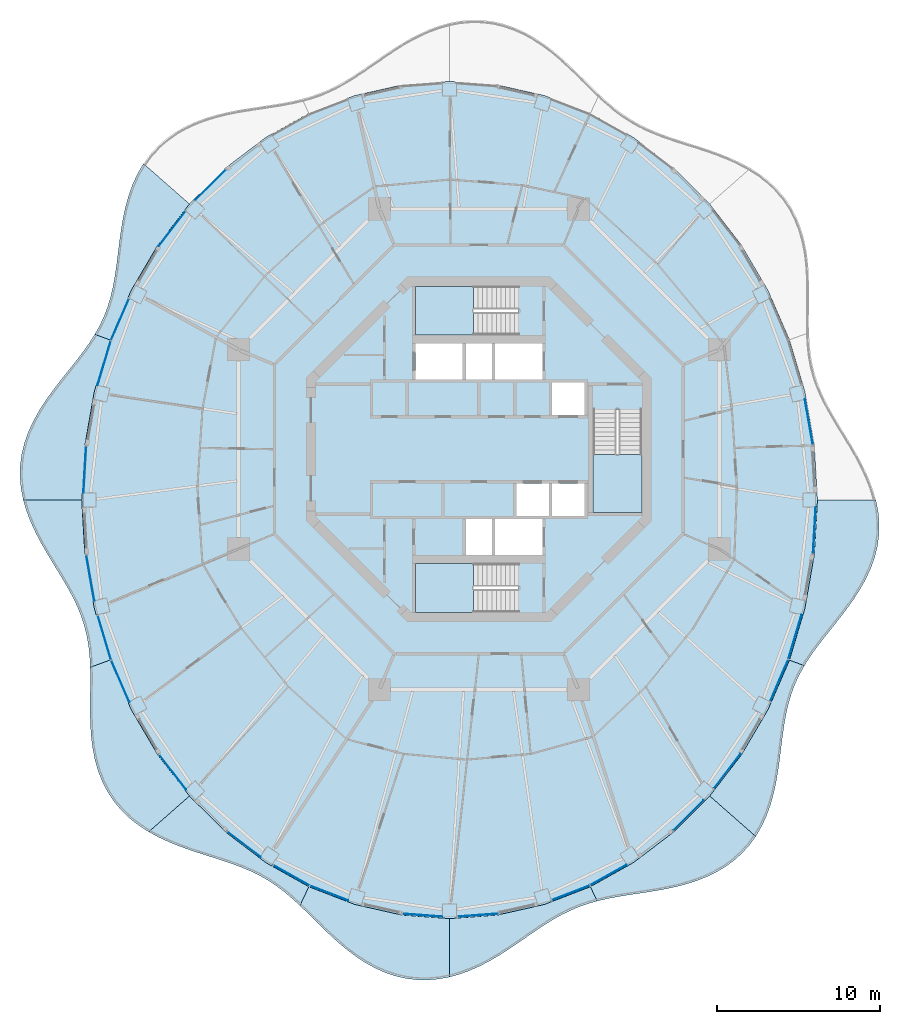
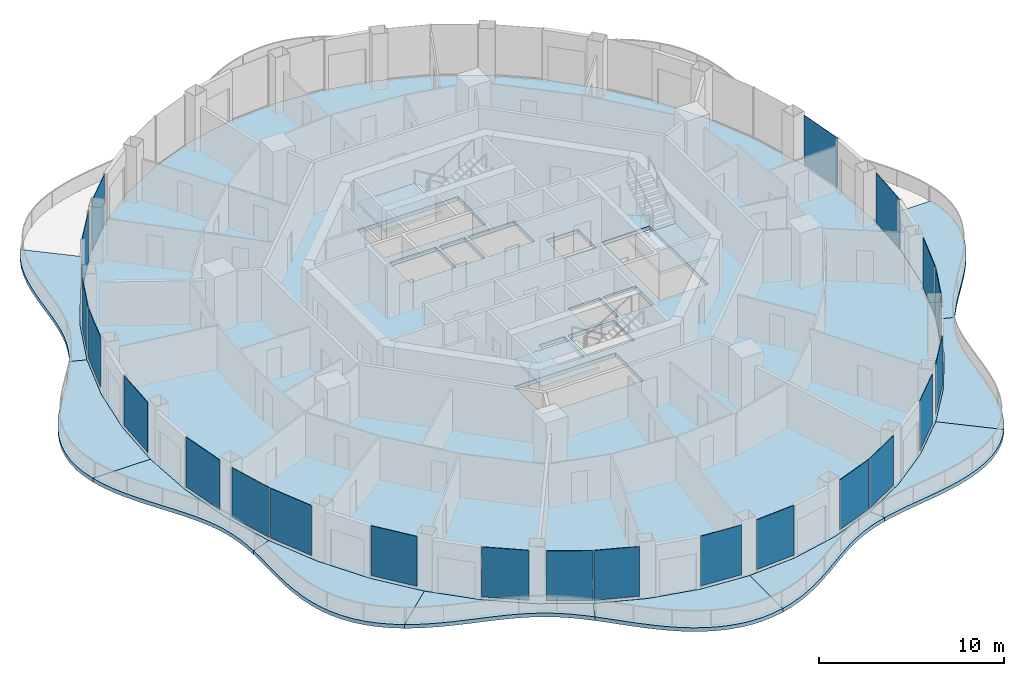
# One storey, part 8 of 17: 22 plates, 14 slabs, 25 elements without a shape of their own.
"""IFC4 building model written with IfcOpenShell, lengths in metres."""

from ifc_helpers import new_model, si_unit, direction, frame, origin, origin_2d, place, context, subcontext, project, spatial, polyline, rectangle, outline, extrude, material, layer, layer_set, type_object, element, aggregate, save


model = new_model("IFC4")

# Units and contexts
model_context = context("Model", 3, precision=1e-05, world=origin(), true_north=direction((0.0, 1.0)))
body_context = subcontext(model_context, "Body", "Model", "MODEL_VIEW")
ifc_project = project(units=[si_unit("LENGTHUNIT", "METRE"), si_unit("AREAUNIT", "SQUARE_METRE"), si_unit("VOLUMEUNIT", "CUBIC_METRE"), si_unit("PLANEANGLEUNIT", "RADIAN"), si_unit("MASSUNIT", "GRAM", prefix="KILO")], contexts=[model_context])

# Site, building, storey
site_placement = place(None, origin())
site = spatial("IfcSite", under=ifc_project, at=site_placement, CompositionType="ELEMENT")
building_placement = place(site_placement, origin())
building = spatial("IfcBuilding", under=site, at=building_placement, Name="Nagisa Residences", CompositionType="ELEMENT")
storey_placement = place(building_placement, frame((0.0, 0.0, 273.300048828125)))
storey = spatial("IfcBuildingStorey", under=building, at=storey_placement, Name="L69", CompositionType="ELEMENT", Elevation=273.300048828125)

# Slabs
ifc_material_1 = material(Name="Concrete C40/50", Category="concrete")
ifc_layer_1 = layer(ifc_material_1, 0.25)
ifc_layer_set_1 = layer_set([ifc_layer_1], Name="BALCONY SLAB 250")
slab_type_1 = type_object("IfcSlabType", Name="BALCONY SLAB 250", PredefinedType="FLOOR", material=ifc_layer_set_1)
slab_1_placement = place(storey_placement, frame((0.0, 0.0, -0.25)))
element("IfcSlab", 1, at=slab_1_placement, inside=storey, type_object=slab_type_1, Name="slab:L69:bal06", PredefinedType="FLOOR", context=body_context, shape_type="SweptSolid", body=[
    extrude(outline(polyline([(-20.623779296875, 17.5693359375), (-20.98291015625, 16.95458984375), (-21.28369140625, 16.302001953125), (-21.529296875, 15.619140625), (-21.725830078125, 14.914794921875), (-21.880615234375, 14.197265625), (-22.002685546875, 13.474853515625), (-22.10205078125, 12.75537109375), (-22.18994140625, 12.04541015625), (-22.27734375, 11.350341796875), (-22.374755859375, 10.674560546875), (-22.4921875, 10.0205078125), (-22.63818359375, 9.389404296875), (-22.81982421875, 8.78076171875), (-23.0419921875, 8.192626953125), (-23.30712890625, 7.62255859375), (-23.615478515625, 7.06640625), (-22.6982421875, 6.732666015625), (-21.389404296875, 9.752197265625), (-19.74560546875, 12.5517578125), (-17.794677734375, 15.083251953125), (-20.623779296875, 17.5693359375)])), origin(), (0.0, 0.0, 1.0), 0.25),
])
slab_2_placement = place(storey_placement, frame((0.0, 0.0, -0.25)))
element("IfcSlab", 2, at=slab_2_placement, inside=storey, type_object=slab_type_1, Name="slab:L69:bal07", PredefinedType="FLOOR", context=body_context, shape_type="SweptSolid", body=[
    extrude(outline(polyline([(-23.615478515625, 7.06640625), (-23.9765625, 6.50244140625), (-24.375732421875, 5.943115234375), (-24.8056640625, 5.382568359375), (-25.256103515625, 4.816162109375), (-25.715576171875, 4.239013671875), (-26.171142578125, 3.647216796875), (-26.609375, 3.037841796875), (-27.01708984375, 2.40966796875), (-27.381103515625, 1.76220703125), (-27.690185546875, 1.096435546875), (-27.934326171875, 0.4140625), (-28.106201171875, -0.281494140625), (-28.20068359375, -0.98681640625), (-28.2158203125, -1.69775390625), (-28.152099609375, -2.409423828125), (-28.013671875, -3.11767578125), (-24.419921875, -3.11767578125), (-24.2265625, 0.241943359375), (-23.649169921875, 3.544189453125), (-22.6982421875, 6.732666015625), (-23.615478515625, 7.06640625)])), origin(), (0.0, 0.0, 1.0), 0.25),
])
slab_3_placement = place(storey_placement, frame((0.0, 0.0, -0.25)))
element("IfcSlab", 3, at=slab_3_placement, inside=storey, type_object=slab_type_1, Name="slab:L69:bal08", PredefinedType="FLOOR", context=body_context, shape_type="SweptSolid", body=[
    extrude(outline(polyline([(-28.013671875, -3.11767578125), (-27.806396484375, -3.818603515625), (-27.539794921875, -4.5087890625), (-27.22412109375, -5.185546875), (-26.872314453125, -5.84765625), (-26.49755859375, -6.49462890625), (-26.11376953125, -7.127197265625), (-25.734130859375, -7.747802734375), (-25.37109375, -8.358642578125), (-25.035888671875, -8.964111328125), (-24.7373046875, -9.568115234375), (-24.482177734375, -10.17529296875), (-24.274658203125, -10.79052734375), (-24.115478515625, -11.418212890625), (-24.003173828125, -12.061279296875), (-23.932861328125, -12.72314453125), (-23.89794921875, -13.40478515625), (-22.6982421875, -12.968017578125), (-23.649169921875, -9.77978515625), (-24.2265625, -6.4775390625), (-24.419921875, -3.11767578125), (-28.013671875, -3.11767578125)])), origin(), (0.0, 0.0, 1.0), 0.25),
])
slab_4_placement = place(storey_placement, frame((0.0, 0.0, -0.25)))
element("IfcSlab", 4, at=slab_4_placement, inside=storey, type_object=slab_type_1, Name="slab:L69:bal09", PredefinedType="FLOOR", context=body_context, shape_type="SweptSolid", body=[
    extrude(outline(polyline([(-23.89794921875, -13.40478515625), (-23.888916015625, -14.08447265625), (-23.89453125, -14.78173828125), (-23.9033203125, -15.493896484375), (-23.904296875, -16.21728515625), (-23.88525390625, -16.946533203125), (-23.83544921875, -17.676025390625), (-23.74462890625, -18.3984375), (-23.603759765625, -19.107177734375), (-23.40625, -19.794189453125), (-23.14697265625, -20.452880859375), (-22.8232421875, -21.076416015625), (-22.4345703125, -21.659423828125), (-21.983154296875, -22.197509765625), (-21.47314453125, -22.68798828125), (-20.910400390625, -23.12939453125), (-20.302734375, -23.522705078125), (-17.794677734375, -21.318603515625), (-19.74560546875, -18.787109375), (-21.389404296875, -15.98779296875), (-22.6982421875, -12.968017578125), (-23.89794921875, -13.40478515625)])), origin(), (0.0, 0.0, 1.0), 0.25),
])
slab_5_placement = place(storey_placement, frame((0.0, 0.0, -0.25)))
element("IfcSlab", 5, at=slab_5_placement, inside=storey, type_object=slab_type_1, Name="slab:L69:bal10", PredefinedType="FLOOR", context=body_context, shape_type="SweptSolid", body=[
    extrude(outline(polyline([(-20.302734375, -23.522705078125), (-19.68994140625, -23.85498046875), (-19.052734375, -24.14990234375), (-18.39990234375, -24.412353515625), (-17.739990234375, -24.6484375), (-17.080810546875, -24.865966796875), (-16.429931640625, -25.072509765625), (-15.79345703125, -25.276611328125), (-15.176025390625, -25.486083984375), (-14.581298828125, -25.708984375), (-14.0107421875, -25.952392578125), (-13.46435546875, -26.22216796875), (-12.941162109375, -26.5224609375), (-12.437744140625, -26.8564453125), (-11.9501953125, -27.224609375), (-11.473876953125, -27.6259765625), (-11.00244140625, -28.057373046875), (-10.456298828125, -26.8984375), (-13.110107421875, -25.4091796875), (-15.570068359375, -23.53857421875), (-17.794677734375, -21.318603515625), (-20.302734375, -23.522705078125)])), origin(), (0.0, 0.0, 1.0), 0.25),
])
slab_6_placement = place(storey_placement, frame((0.0, 0.0, -0.25)))
element("IfcSlab", 6, at=slab_6_placement, inside=storey, type_object=slab_type_1, Name="slab:L69:bal11", PredefinedType="FLOOR", context=body_context, shape_type="SweptSolid", body=[
    extrude(outline(polyline([(-11.00244140625, -28.057373046875), (-10.5478515625, -28.496826171875), (-10.087158203125, -28.953369140625), (-9.615478515625, -29.419677734375), (-9.128662109375, -29.886962890625), (-8.62255859375, -30.345947265625), (-8.0947265625, -30.786865234375), (-7.543701171875, -31.19970703125), (-6.96875, -31.5751953125), (-6.370849609375, -31.904296875), (-5.751708984375, -32.178955078125), (-5.1142578125, -32.393310546875), (-4.462158203125, -32.5419921875), (-3.7998046875, -32.6220703125), (-3.13232421875, -32.6328125), (-2.4638671875, -32.574951171875), (-1.800048828125, -32.451171875), (-1.800048828125, -28.857666015625), (-4.75244140625, -28.637451171875), (-7.654541015625, -27.980712890625), (-10.456298828125, -26.8984375), (-11.00244140625, -28.057373046875)])), origin(), (0.0, 0.0, 1.0), 0.25),
])
slab_7_placement = place(storey_placement, frame((0.0, 0.0, -0.25)))
element("IfcSlab", 7, at=slab_7_placement, inside=storey, type_object=slab_type_1, Name="slab:L69:bal12", PredefinedType="FLOOR", context=body_context, shape_type="SweptSolid", body=[
    extrude(outline(polyline([(-1.800048828125, -32.451171875), (-1.144775390625, -32.2666015625), (-0.501953125, -32.027587890625), (0.12548828125, -31.741943359375), (0.7353515625, -31.418701171875), (1.326904296875, -31.0673828125), (1.900146484375, -30.698486328125), (2.456298828125, -30.321533203125), (2.998046875, -29.9462890625), (3.528076171875, -29.581787109375), (4.050537109375, -29.23583984375), (4.570068359375, -28.914306640625), (5.090576171875, -28.622314453125), (5.6171875, -28.362548828125), (6.15380859375, -28.13623046875), (6.704345703125, -27.942626953125), (7.271484375, -27.779296875), (6.856201171875, -26.8984375), (4.054443359375, -27.980712890625), (1.152587890625, -28.637451171875), (-1.800048828125, -28.857666015625), (-1.800048828125, -32.451171875)])), origin(), (0.0, 0.0, 1.0), 0.25),
])
slab_8_placement = place(storey_placement, frame((0.0, 0.0, -0.25)))
element("IfcSlab", 8, at=slab_8_placement, inside=storey, type_object=slab_type_1, Name="slab:L69:bal13", PredefinedType="FLOOR", context=body_context, shape_type="SweptSolid", body=[
    extrude(outline(polyline([(7.271484375, -27.779296875), (7.87939453125, -27.636962890625), (8.5078125, -27.5166015625), (9.15625, -27.41064453125), (9.822265625, -27.310302734375), (10.502197265625, -27.206787109375), (11.191162109375, -27.0908203125), (11.8828125, -26.95361328125), (12.570068359375, -26.78662109375), (13.245361328125, -26.58251953125), (13.900634765625, -26.335205078125), (14.528076171875, -26.040283203125), (15.120361328125, -25.694580078125), (15.670654296875, -25.296875), (16.173828125, -24.84765625), (16.625732421875, -24.34912109375), (17.02392578125, -23.8046875), (14.19482421875, -21.318603515625), (11.97021484375, -23.53857421875), (9.510009765625, -25.4091796875), (6.856201171875, -26.8984375), (7.271484375, -27.779296875)])), origin(), (0.0, 0.0, 1.0), 0.25),
])
slab_9_placement = place(storey_placement, frame((0.0, 0.0, -0.25)))
element("IfcSlab", 9, at=slab_9_placement, inside=storey, type_object=slab_type_1, Name="slab:L69:bal14", PredefinedType="FLOOR", context=body_context, shape_type="SweptSolid", body=[
    extrude(outline(polyline([(17.02392578125, -23.8046875), (17.383056640625, -23.18994140625), (17.68359375, -22.537353515625), (17.929443359375, -21.8544921875), (18.1259765625, -21.150146484375), (18.280517578125, -20.4326171875), (18.402587890625, -19.71044921875), (18.502197265625, -18.99072265625), (18.590087890625, -18.28076171875), (18.67724609375, -17.5859375), (18.774658203125, -16.909912109375), (18.89208984375, -16.255859375), (19.0380859375, -15.624755859375), (19.219970703125, -15.01611328125), (19.44189453125, -14.42822265625), (19.707275390625, -13.85791015625), (20.015625, -13.302001953125), (19.09814453125, -12.968017578125), (17.78955078125, -15.98779296875), (16.145751953125, -18.787109375), (14.19482421875, -21.318603515625), (17.02392578125, -23.8046875)])), origin(), (0.0, 0.0, 1.0), 0.25),
])
slab_10_placement = place(storey_placement, frame((0.0, 0.0, -0.25)))
element("IfcSlab", 10, at=slab_10_placement, inside=storey, type_object=slab_type_1, Name="slab:L69:bal15", PredefinedType="FLOOR", context=body_context, shape_type="SweptSolid", body=[
    extrude(outline(polyline([(20.015625, -13.302001953125), (20.37646484375, -12.73779296875), (20.77587890625, -12.178466796875), (21.20556640625, -11.6181640625), (21.656005859375, -11.051513671875), (22.115478515625, -10.474365234375), (22.571044921875, -9.882568359375), (23.009521484375, -9.273193359375), (23.4169921875, -8.64501953125), (23.78125, -7.99755859375), (24.09033203125, -7.331787109375), (24.33447265625, -6.6494140625), (24.50634765625, -5.953857421875), (24.600830078125, -5.24853515625), (24.61572265625, -4.53759765625), (24.55224609375, -3.825927734375), (24.41357421875, -3.11767578125), (20.820068359375, -3.11767578125), (20.62646484375, -6.4775390625), (20.04931640625, -9.77978515625), (19.09814453125, -12.968017578125), (20.015625, -13.302001953125)])), origin(), (0.0, 0.0, 1.0), 0.25),
])

# Curtain wall, plate
ifc_material_2 = material(Name="Concrete-coloured aluminium curtain wall system", Category="concrete")
ifc_layer_2 = layer(ifc_material_2, 0.159912109375)
ifc_layer_set_2 = layer_set([ifc_layer_2], Name="CW1 CURTAIN WALL")
curtain_wall_type = type_object("IfcCurtainWallType", Name="CW1 CURTAIN WALL", PredefinedType="NOTDEFINED", material=ifc_layer_set_2)
curtain_wall_1_placement = place(storey_placement, origin())
curtain_wall_1 = element("IfcCurtainWall", 11, at=curtain_wall_1_placement, inside=storey, type_object=curtain_wall_type, Name="cw:CW1:L69:01", PredefinedType="NOTDEFINED")
ifc_material_3 = material(Name="Clear laminated glass", Category="glass")
ifc_layer_3 = layer(ifc_material_3, 0.028076171875)
ifc_layer_set_3 = layer_set([ifc_layer_3], Name="CW1 GLASS PANEL")
plate_type = type_object("IfcPlateType", Name="CW1 GLASS PANEL", PredefinedType="CURTAIN_PANEL", material=ifc_layer_set_3)
plate_1_placement = place(storey_placement, frame((20.292724609375, 1.687255859375, 0.14990234375), z_axis=(0.0, 0.0, 1.0), x_axis=(-0.172190868898, 0.985063604377, 0.0)))
plate_1 = element("IfcPlate", 12, at=plate_1_placement, type_object=plate_type, Name="CW1 panel", PredefinedType="CURTAIN_PANEL", context=body_context, shape_type="SweptSolid", body=[
    extrude(rectangle(XDim=2.84228515625, YDim=0.028076171875, at=origin_2d()), origin(), (0.0, 0.0, 1.0), 3.2900390625),
])
aggregate(curtain_wall_1, [plate_1])

curtain_wall_2_placement = place(storey_placement, origin())
curtain_wall_2 = element("IfcCurtainWall", 13, at=curtain_wall_2_placement, inside=storey, type_object=curtain_wall_type, Name="cw:CW1:L69:17", PredefinedType="NOTDEFINED")
plate_2_placement = place(storey_placement, frame((-16.488037109375, 16.2744140625, 0.14990234375), z_axis=(0.0, 0.0, 1.0), x_axis=(-0.707835924016, -0.706376885714, 0.0)))
plate_2 = element("IfcPlate", 14, at=plate_2_placement, type_object=plate_type, Name="CW1 panel", PredefinedType="CURTAIN_PANEL", context=body_context, shape_type="SweptSolid", body=[
    extrude(rectangle(XDim=2.6328125, YDim=0.028076171875, at=origin_2d()), origin(), (0.0, 0.0, 1.0), 3.2900390625),
])
aggregate(curtain_wall_2, [plate_2])

curtain_wall_3_placement = place(storey_placement, origin())
curtain_wall_3 = element("IfcCurtainWall", 15, at=curtain_wall_3_placement, inside=storey, type_object=curtain_wall_type, Name="cw:CW1:L69:18", PredefinedType="NOTDEFINED")
plate_3_placement = place(storey_placement, frame((-18.862548828125, 13.566650390625, 0.14990234375), z_axis=(0.0, 0.0, 1.0), x_axis=(-0.610429828235, -0.792070340816, 0.0)))
plate_3 = element("IfcPlate", 16, at=plate_3_placement, type_object=plate_type, Name="CW1 panel", PredefinedType="CURTAIN_PANEL", context=body_context, shape_type="SweptSolid", body=[
    extrude(rectangle(XDim=2.68603515625, YDim=0.028076171875, at=origin_2d()), origin(), (0.0, 0.0, 1.0), 3.2900390625),
])
aggregate(curtain_wall_3, [plate_3])

curtain_wall_4_placement = place(storey_placement, origin())
curtain_wall_4 = element("IfcCurtainWall", 17, at=curtain_wall_4_placement, inside=storey, type_object=curtain_wall_type, Name="cw:CW1:L69:20", PredefinedType="NOTDEFINED")
plate_4_placement = place(storey_placement, frame((-22.07177734375, 7.9765625, 0.14990234375), z_axis=(0.0, 0.0, 1.0), x_axis=(-0.397635934147, -0.917543276295, 0.0)))
plate_4 = element("IfcPlate", 18, at=plate_4_placement, type_object=plate_type, Name="CW1 panel", PredefinedType="CURTAIN_PANEL", context=body_context, shape_type="SweptSolid", body=[
    extrude(rectangle(XDim=2.781005859375, YDim=0.028076171875, at=origin_2d()), origin(), (0.0, 0.0, 1.0), 3.2900390625),
])
aggregate(curtain_wall_4, [plate_4])

curtain_wall_5_placement = place(storey_placement, origin())
curtain_wall_5 = element("IfcCurtainWall", 19, at=curtain_wall_5_placement, inside=storey, type_object=curtain_wall_type, Name="cw:CW1:L69:21", PredefinedType="NOTDEFINED")
plate_5_placement = place(storey_placement, frame((-23.041259765625, 5.302490234375, 0.14990234375), z_axis=(0.0, 0.0, 1.0), x_axis=(-0.285860274038, -0.958271310082, 0.0)))
plate_5 = element("IfcPlate", 20, at=plate_5_placement, type_object=plate_type, Name="CW1 panel", PredefinedType="CURTAIN_PANEL", context=body_context, shape_type="SweptSolid", body=[
    extrude(rectangle(XDim=2.817138671875, YDim=0.028076171875, at=origin_2d()), origin(), (0.0, 0.0, 1.0), 3.2900390625),
])
aggregate(curtain_wall_5, [plate_5])

curtain_wall_6_placement = place(storey_placement, origin())
curtain_wall_6 = element("IfcCurtainWall", 21, at=curtain_wall_6_placement, inside=storey, type_object=curtain_wall_type, Name="cw:CW1:L69:23", PredefinedType="NOTDEFINED")
plate_6_placement = place(storey_placement, frame((-24.232177734375, -1.247802734375, 0.14990234375), z_axis=(0.0, 0.0, 1.0), x_axis=(-0.057503492216, -0.998345305184, 0.0)))
plate_6 = element("IfcPlate", 22, at=plate_6_placement, type_object=plate_type, Name="CW1 panel", PredefinedType="CURTAIN_PANEL", context=body_context, shape_type="SweptSolid", body=[
    extrude(rectangle(XDim=2.855224609375, YDim=0.028076171875, at=origin_2d()), origin(), (0.0, 0.0, 1.0), 3.2900390625),
])
aggregate(curtain_wall_6, [plate_6])

curtain_wall_7_placement = place(storey_placement, origin())
curtain_wall_7 = element("IfcCurtainWall", 23, at=curtain_wall_7_placement, inside=storey, type_object=curtain_wall_type, Name="cw:CW1:L69:25", PredefinedType="NOTDEFINED")
plate_7_placement = place(storey_placement, frame((-23.892578125, -7.922607421875, 0.14990234375), z_axis=(0.0, 0.0, 1.0), x_axis=(0.172190868898, -0.985063604377, 0.0)))
plate_7 = element("IfcPlate", 24, at=plate_7_placement, type_object=plate_type, Name="CW1 panel", PredefinedType="CURTAIN_PANEL", context=body_context, shape_type="SweptSolid", body=[
    extrude(rectangle(XDim=2.84228515625, YDim=0.028076171875, at=origin_2d()), origin(), (0.0, 0.0, 1.0), 3.2900390625),
])
aggregate(curtain_wall_7, [plate_7])

curtain_wall_8_placement = place(storey_placement, origin())
curtain_wall_8 = element("IfcCurtainWall", 25, at=curtain_wall_8_placement, inside=storey, type_object=curtain_wall_type, Name="cw:CW1:L69:26", PredefinedType="NOTDEFINED")
plate_8_placement = place(storey_placement, frame((-23.024169921875, -11.59521484375, 0.14990234375), z_axis=(0.0, 0.0, 1.0), x_axis=(0.285860274038, -0.958271310082, 0.0)))
plate_8 = element("IfcPlate", 26, at=plate_8_placement, type_object=plate_type, Name="CW1 panel", PredefinedType="CURTAIN_PANEL", context=body_context, shape_type="SweptSolid", body=[
    extrude(rectangle(XDim=2.817138671875, YDim=0.028076171875, at=origin_2d()), origin(), (0.0, 0.0, 1.0), 3.2900390625),
])
aggregate(curtain_wall_8, [plate_8])

curtain_wall_9_placement = place(storey_placement, origin())
curtain_wall_9 = element("IfcCurtainWall", 27, at=curtain_wall_9_placement, inside=storey, type_object=curtain_wall_type, Name="cw:CW1:L69:27", PredefinedType="NOTDEFINED")
plate_9_placement = place(storey_placement, frame((-22.0478515625, -14.26708984375, 0.14990234375), z_axis=(0.0, 0.0, 1.0), x_axis=(0.397635934147, -0.917543276295, 0.0)))
plate_9 = element("IfcPlate", 28, at=plate_9_placement, type_object=plate_type, Name="CW1 panel", PredefinedType="CURTAIN_PANEL", context=body_context, shape_type="SweptSolid", body=[
    extrude(rectangle(XDim=2.781005859375, YDim=0.028076171875, at=origin_2d()), origin(), (0.0, 0.0, 1.0), 3.2900390625),
])
aggregate(curtain_wall_9, [plate_9])

curtain_wall_10_placement = place(storey_placement, origin())
curtain_wall_10 = element("IfcCurtainWall", 29, at=curtain_wall_10_placement, inside=storey, type_object=curtain_wall_type, Name="cw:CW1:L69:29", PredefinedType="NOTDEFINED")
plate_10_placement = place(storey_placement, frame((-18.825927734375, -19.849609375, 0.14990234375), z_axis=(0.0, 0.0, 1.0), x_axis=(0.610429828235, -0.792070340816, 0.0)))
plate_10 = element("IfcPlate", 30, at=plate_10_placement, type_object=plate_type, Name="CW1 panel", PredefinedType="CURTAIN_PANEL", context=body_context, shape_type="SweptSolid", body=[
    extrude(rectangle(XDim=2.68603515625, YDim=0.028076171875, at=origin_2d()), origin(), (0.0, 0.0, 1.0), 3.2900390625),
])
aggregate(curtain_wall_10, [plate_10])

curtain_wall_11_placement = place(storey_placement, origin())
curtain_wall_11 = element("IfcCurtainWall", 31, at=curtain_wall_11_placement, inside=storey, type_object=curtain_wall_type, Name="cw:CW1:L69:31", PredefinedType="NOTDEFINED")
plate_11_placement = place(storey_placement, frame((-14.44677734375, -24.292236328125, 0.14990234375), z_axis=(0.0, 0.0, 1.0), x_axis=(0.79603132756, -0.605255421737, 0.0)))
plate_11 = element("IfcPlate", 32, at=plate_11_placement, type_object=plate_type, Name="CW1 panel", PredefinedType="CURTAIN_PANEL", context=body_context, shape_type="SweptSolid", body=[
    extrude(rectangle(XDim=2.58056640625, YDim=0.028076171875, at=origin_2d()), origin(), (0.0, 0.0, 1.0), 3.2900390625),
])
aggregate(curtain_wall_11, [plate_11])

curtain_wall_12_placement = place(storey_placement, origin())
curtain_wall_12 = element("IfcCurtainWall", 33, at=curtain_wall_12_placement, inside=storey, type_object=curtain_wall_type, Name="cw:CW1:L69:32", PredefinedType="NOTDEFINED")
plate_12_placement = place(storey_placement, frame((-11.521728515625, -26.208740234375, 0.14990234375), z_axis=(0.0, 0.0, 1.0), x_axis=(0.872072377523, -0.489376918501, 0.0)))
plate_12 = element("IfcPlate", 34, at=plate_12_placement, type_object=plate_type, Name="CW1 panel", PredefinedType="CURTAIN_PANEL", context=body_context, shape_type="SweptSolid", body=[
    extrude(rectangle(XDim=2.532958984375, YDim=0.028076171875, at=origin_2d()), origin(), (0.0, 0.0, 1.0), 3.2900390625),
])
aggregate(curtain_wall_12, [plate_12])

curtain_wall_13_placement = place(storey_placement, origin())
curtain_wall_13 = element("IfcCurtainWall", 35, at=curtain_wall_13_placement, inside=storey, type_object=curtain_wall_type, Name="cw:CW1:L69:33", PredefinedType="NOTDEFINED")
plate_13_placement = place(storey_placement, frame((-9.20849609375, -27.294677734375, 0.14990234375), z_axis=(0.0, 0.0, 1.0), x_axis=(0.932825759707, -0.360327770268, 0.0)))
plate_13 = element("IfcPlate", 36, at=plate_13_placement, type_object=plate_type, Name="CW1 panel", PredefinedType="CURTAIN_PANEL", context=body_context, shape_type="SweptSolid", body=[
    extrude(rectangle(XDim=2.49365234375, YDim=0.028076171875, at=origin_2d()), origin(), (0.0, 0.0, 1.0), 3.2900390625),
])
aggregate(curtain_wall_13, [plate_13])

curtain_wall_14_placement = place(storey_placement, origin())
curtain_wall_14 = element("IfcCurtainWall", 37, at=curtain_wall_14_placement, inside=storey, type_object=curtain_wall_type, Name="cw:CW1:L69:35", PredefinedType="NOTDEFINED")
plate_14_placement = place(storey_placement, frame((-3.46484375, -28.6533203125, 0.14990234375), z_axis=(0.0, 0.0, 1.0), x_axis=(0.997230168512, -0.074377355493, 0.0)))
plate_14 = element("IfcPlate", 38, at=plate_14_placement, type_object=plate_type, Name="CW1 panel", PredefinedType="CURTAIN_PANEL", context=body_context, shape_type="SweptSolid", body=[
    extrude(rectangle(XDim=2.45068359375, YDim=0.028076171875, at=origin_2d()), origin(), (0.0, 0.0, 1.0), 3.2900390625),
])
aggregate(curtain_wall_14, [plate_14])

curtain_wall_15_placement = place(storey_placement, origin())
curtain_wall_15 = element("IfcCurtainWall", 39, at=curtain_wall_15_placement, inside=storey, type_object=curtain_wall_type, Name="cw:CW1:L69:36", PredefinedType="NOTDEFINED")
plate_15_placement = place(storey_placement, frame((-0.075439453125, -28.64892578125, 0.14990234375), z_axis=(0.0, 0.0, 1.0), x_axis=(0.997230168512, 0.074377355493, 0.0)))
plate_15 = element("IfcPlate", 40, at=plate_15_placement, type_object=plate_type, Name="CW1 panel", PredefinedType="CURTAIN_PANEL", context=body_context, shape_type="SweptSolid", body=[
    extrude(rectangle(XDim=2.45068359375, YDim=0.028076171875, at=origin_2d()), origin(), (0.0, 0.0, 1.0), 3.2900390625),
])
aggregate(curtain_wall_15, [plate_15])

curtain_wall_16_placement = place(storey_placement, origin())
curtain_wall_16 = element("IfcCurtainWall", 41, at=curtain_wall_16_placement, inside=storey, type_object=curtain_wall_type, Name="cw:CW1:L69:38", PredefinedType="NOTDEFINED")
plate_16_placement = place(storey_placement, frame((5.66455078125, -27.27294921875, 0.14990234375), z_axis=(0.0, 0.0, 1.0), x_axis=(0.932825759707, 0.360327770268, 0.0)))
plate_16 = element("IfcPlate", 42, at=plate_16_placement, type_object=plate_type, Name="CW1 panel", PredefinedType="CURTAIN_PANEL", context=body_context, shape_type="SweptSolid", body=[
    extrude(rectangle(XDim=2.49365234375, YDim=0.028076171875, at=origin_2d()), origin(), (0.0, 0.0, 1.0), 3.2900390625),
])
aggregate(curtain_wall_16, [plate_16])

curtain_wall_17_placement = place(storey_placement, origin())
curtain_wall_17 = element("IfcCurtainWall", 43, at=curtain_wall_17_placement, inside=storey, type_object=curtain_wall_type, Name="cw:CW1:L69:39", PredefinedType="NOTDEFINED")
plate_17_placement = place(storey_placement, frame((7.973876953125, -26.179443359375, 0.14990234375), z_axis=(0.0, 0.0, 1.0), x_axis=(0.872072377523, 0.489376918501, 0.0)))
plate_17 = element("IfcPlate", 44, at=plate_17_placement, type_object=plate_type, Name="CW1 panel", PredefinedType="CURTAIN_PANEL", context=body_context, shape_type="SweptSolid", body=[
    extrude(rectangle(XDim=2.532958984375, YDim=0.028076171875, at=origin_2d()), origin(), (0.0, 0.0, 1.0), 3.2900390625),
])
aggregate(curtain_wall_17, [plate_17])

curtain_wall_18_placement = place(storey_placement, origin())
curtain_wall_18 = element("IfcCurtainWall", 45, at=curtain_wall_18_placement, inside=storey, type_object=curtain_wall_type, Name="cw:CW1:L69:41", PredefinedType="NOTDEFINED")
plate_18_placement = place(storey_placement, frame((12.887939453125, -22.509765625, 0.14990234375), z_axis=(0.0, 0.0, 1.0), x_axis=(0.707835924016, 0.706376885714, 0.0)))
plate_18 = element("IfcPlate", 46, at=plate_18_placement, type_object=plate_type, Name="CW1 panel", PredefinedType="CURTAIN_PANEL", context=body_context, shape_type="SweptSolid", body=[
    extrude(rectangle(XDim=2.6328125, YDim=0.028076171875, at=origin_2d()), origin(), (0.0, 0.0, 1.0), 3.2900390625),
])
aggregate(curtain_wall_18, [plate_18])

curtain_wall_19_placement = place(storey_placement, origin())
curtain_wall_19 = element("IfcCurtainWall", 47, at=curtain_wall_19_placement, inside=storey, type_object=curtain_wall_type, Name="cw:CW1:L69:42", PredefinedType="NOTDEFINED")
plate_19_placement = place(storey_placement, frame((15.262451171875, -19.802001953125, 0.14990234375), z_axis=(0.0, 0.0, 1.0), x_axis=(0.610429828235, 0.792070340816, 0.0)))
plate_19 = element("IfcPlate", 48, at=plate_19_placement, type_object=plate_type, Name="CW1 panel", PredefinedType="CURTAIN_PANEL", context=body_context, shape_type="SweptSolid", body=[
    extrude(rectangle(XDim=2.68603515625, YDim=0.028076171875, at=origin_2d()), origin(), (0.0, 0.0, 1.0), 3.2900390625),
])
aggregate(curtain_wall_19, [plate_19])

curtain_wall_20_placement = place(storey_placement, origin())
curtain_wall_20 = element("IfcCurtainWall", 49, at=curtain_wall_20_placement, inside=storey, type_object=curtain_wall_type, Name="cw:CW1:L69:44", PredefinedType="NOTDEFINED")
plate_20_placement = place(storey_placement, frame((18.471923828125, -14.212158203125, 0.14990234375), z_axis=(0.0, 0.0, 1.0), x_axis=(0.397635934147, 0.917543276295, 0.0)))
plate_20 = element("IfcPlate", 50, at=plate_20_placement, type_object=plate_type, Name="CW1 panel", PredefinedType="CURTAIN_PANEL", context=body_context, shape_type="SweptSolid", body=[
    extrude(rectangle(XDim=2.781005859375, YDim=0.028076171875, at=origin_2d()), origin(), (0.0, 0.0, 1.0), 3.2900390625),
])
aggregate(curtain_wall_20, [plate_20])

curtain_wall_21_placement = place(storey_placement, origin())
curtain_wall_21 = element("IfcCurtainWall", 51, at=curtain_wall_21_placement, inside=storey, type_object=curtain_wall_type, Name="cw:CW1:L69:45", PredefinedType="NOTDEFINED")
plate_21_placement = place(storey_placement, frame((19.44140625, -11.537841796875, 0.14990234375), z_axis=(0.0, 0.0, 1.0), x_axis=(0.285860274038, 0.958271310082, 0.0)))
plate_21 = element("IfcPlate", 52, at=plate_21_placement, type_object=plate_type, Name="CW1 panel", PredefinedType="CURTAIN_PANEL", context=body_context, shape_type="SweptSolid", body=[
    extrude(rectangle(XDim=2.817138671875, YDim=0.028076171875, at=origin_2d()), origin(), (0.0, 0.0, 1.0), 3.2900390625),
])
aggregate(curtain_wall_21, [plate_21])

curtain_wall_22_placement = place(storey_placement, origin())
curtain_wall_22 = element("IfcCurtainWall", 53, at=curtain_wall_22_placement, inside=storey, type_object=curtain_wall_type, Name="cw:CW1:L69:47", PredefinedType="NOTDEFINED")
plate_22_placement = place(storey_placement, frame((20.632080078125, -4.987548828125, 0.14990234375), z_axis=(0.0, 0.0, 1.0), x_axis=(0.057503492216, 0.998345305184, 0.0)))
plate_22 = element("IfcPlate", 54, at=plate_22_placement, type_object=plate_type, Name="CW1 panel", PredefinedType="CURTAIN_PANEL", context=body_context, shape_type="SweptSolid", body=[
    extrude(rectangle(XDim=2.855224609375, YDim=0.028076171875, at=origin_2d()), origin(), (0.0, 0.0, 1.0), 3.2900390625),
])
aggregate(curtain_wall_22, [plate_22])

# Slab
ifc_material_4 = material(Name="Concrete C40", Category="concrete")
ifc_layer_4 = layer(ifc_material_4, 0.260009765625)
ifc_layer_set_4 = layer_set([ifc_layer_4], Name="Floor slab 260")
slab_type_2 = type_object("IfcSlabType", Name="Floor slab 260", PredefinedType="FLOOR", material=ifc_layer_set_4)
slab_11_placement = place(storey_placement, frame((0.0, 0.0, -0.260009765625)))
element("IfcSlab", 55, at=slab_11_placement, inside=storey, type_object=slab_type_2, Name="slab:L69:floor", PredefinedType="FLOOR", context=body_context, shape_type="SweptSolid", body=[
    extrude(outline(polyline([(20.820068359375, -3.11767578125), (20.62646484375, 0.241943359375), (20.04931640625, 3.544189453125), (19.09814453125, 6.732666015625), (17.78955078125, 9.752197265625), (16.145751953125, 12.5517578125), (14.19482421875, 15.083251953125), (11.97021484375, 17.30322265625), (9.510009765625, 19.173828125), (6.856201171875, 20.6630859375), (4.054443359375, 21.745361328125), (1.152587890625, 22.402099609375), (-1.800048828125, 22.622314453125), (-4.75244140625, 22.402099609375), (-7.654541015625, 21.745361328125), (-10.456298828125, 20.6630859375), (-13.110107421875, 19.173828125), (-15.570068359375, 17.30322265625), (-17.794677734375, 15.083251953125), (-19.74560546875, 12.5517578125), (-21.389404296875, 9.752197265625), (-22.6982421875, 6.732666015625), (-23.649169921875, 3.544189453125), (-24.2265625, 0.241943359375), (-24.419921875, -3.11767578125), (-24.2265625, -6.4775390625), (-23.649169921875, -9.77978515625), (-22.6982421875, -12.968017578125), (-21.389404296875, -15.98779296875), (-19.74560546875, -18.787109375), (-17.794677734375, -21.318603515625), (-15.570068359375, -23.53857421875), (-13.110107421875, -25.4091796875), (-10.456298828125, -26.8984375), (-7.654541015625, -27.980712890625), (-4.75244140625, -28.637451171875), (-1.800048828125, -28.857666015625), (1.152587890625, -28.637451171875), (4.054443359375, -27.980712890625), (6.856201171875, -26.8984375), (9.510009765625, -25.4091796875), (11.97021484375, -23.53857421875), (14.19482421875, -21.318603515625), (16.145751953125, -18.787109375), (17.78955078125, -15.98779296875), (19.09814453125, -12.968017578125), (20.04931640625, -9.77978515625), (20.62646484375, -6.4775390625), (20.820068359375, -3.11767578125)]), holes=[polyline([(6.5, 2.10009765625), (6.5, 4.10009765625), (4.5, 4.10009765625), (4.5, 2.10009765625), (6.5, 2.10009765625)]), polyline([(4.300048828125, -4.10009765625), (4.300048828125, -2.10009765625), (2.300048828125, -2.10009765625), (2.300048828125, -4.10009765625), (4.300048828125, -4.10009765625)]), polyline([(6.5, -4.10009765625), (6.5, -2.10009765625), (4.5, -2.10009765625), (4.5, -4.10009765625), (6.5, -4.10009765625)]), polyline([(3.89990234375, 4.300048828125), (3.89990234375, 6.5), (1.0, 6.5), (1.0, 4.300048828125), (3.89990234375, 4.300048828125)]), polyline([(3.89990234375, -6.5), (3.89990234375, -4.300048828125), (1.0, -4.300048828125), (1.0, -6.5), (3.89990234375, -6.5)]), polyline([(-1.0, 4.300048828125), (-1.0, 6.5), (-3.89990234375, 6.5), (-3.89990234375, 4.300048828125), (-1.0, 4.300048828125)]), polyline([(0.800048828125, 4.300048828125), (0.800048828125, 6.5), (-0.800048828125, 6.5), (-0.800048828125, 4.300048828125), (0.800048828125, 4.300048828125)]), polyline([(0.800048828125, -6.5), (0.800048828125, -4.300048828125), (-0.800048828125, -4.300048828125), (-0.800048828125, -6.5), (0.800048828125, -6.5)]), polyline([(10.024658203125, -3.89990234375), (7.024658203125, -3.89990234375), (7.024658203125, 2.425048828125), (10.024658203125, 2.425048828125), (10.024658203125, -3.89990234375)]), polyline([(-3.89990234375, 7.024658203125), (-3.89990234375, 10.024658203125), (2.425048828125, 10.024658203125), (2.425048828125, 7.024658203125), (-3.89990234375, 7.024658203125)]), polyline([(-3.89990234375, -10.024658203125), (-3.89990234375, -7.024658203125), (2.425048828125, -7.024658203125), (2.425048828125, -10.024658203125), (-3.89990234375, -10.024658203125)])]), origin(), (0.0, 0.0, 1.0), 0.260009765625),
])

# Stair, slab
ifc_material_5 = material(Name="Concrete C60", Category="concrete")
stair_type = type_object("IfcStairType", Name="Exit stair", PredefinedType="HALF_TURN_STAIR", material=ifc_material_5)
stair_1_placement = place(storey_placement, origin())
stair_1 = element("IfcStair", 56, at=stair_1_placement, inside=storey, type_object=stair_type, Name="L69 Exit stair E", PredefinedType="HALF_TURN_STAIR")
ifc_material_6 = material(Name="Concrete C60", Category="concrete")
ifc_layer_5 = layer(ifc_material_6, 0.199951171875)
ifc_layer_set_5 = layer_set([ifc_layer_5], Name="Stair landing")
slab_type_3 = type_object("IfcSlabType", Name="Stair landing", PredefinedType="LANDING", material=ifc_layer_set_5)
slab_12_placement = place(storey_placement, frame((0.0, 0.0, 1.64990234375)))
slab_12 = element("IfcSlab", 57, at=slab_12_placement, type_object=slab_type_3, Name="ST-E landing 1", PredefinedType="LANDING", context=body_context, shape_type="SweptSolid", body=[
    extrude(outline(polyline([(7.024658203125, -0.324951171875), (7.024658203125, -3.89990234375), (10.024658203125, -3.89990234375), (10.024658203125, -0.324951171875), (7.024658203125, -0.324951171875)])), origin(), (0.0, 0.0, 1.0), 0.199951171875),
])
aggregate(stair_1, [slab_12])

stair_2_placement = place(storey_placement, origin())
stair_2 = element("IfcStair", 58, at=stair_2_placement, inside=storey, type_object=stair_type, Name="L69 Exit stair N", PredefinedType="HALF_TURN_STAIR")
slab_13_placement = place(storey_placement, frame((0.0, 0.0, 1.64990234375)))
slab_13 = element("IfcSlab", 59, at=slab_13_placement, type_object=slab_type_3, Name="ST-N landing 1", PredefinedType="LANDING", context=body_context, shape_type="SweptSolid", body=[
    extrude(outline(polyline([(-0.324951171875, 10.024658203125), (-3.89990234375, 10.024658203125), (-3.89990234375, 7.024658203125), (-0.324951171875, 7.024658203125), (-0.324951171875, 10.024658203125)])), origin(), (0.0, 0.0, 1.0), 0.199951171875),
])
aggregate(stair_2, [slab_13])

stair_3_placement = place(storey_placement, origin())
stair_3 = element("IfcStair", 60, at=stair_3_placement, inside=storey, type_object=stair_type, Name="L69 Exit stair S", PredefinedType="HALF_TURN_STAIR")
slab_14_placement = place(storey_placement, frame((0.0, 0.0, 1.64990234375)))
slab_14 = element("IfcSlab", 61, at=slab_14_placement, type_object=slab_type_3, Name="ST-S landing 1", PredefinedType="LANDING", context=body_context, shape_type="SweptSolid", body=[
    extrude(outline(polyline([(-0.324951171875, -7.024658203125), (-3.89990234375, -7.024658203125), (-3.89990234375, -10.024658203125), (-0.324951171875, -10.024658203125), (-0.324951171875, -7.024658203125)])), origin(), (0.0, 0.0, 1.0), 0.199951171875),
])
aggregate(stair_3, [slab_14])

save(model, "model.ifc")
